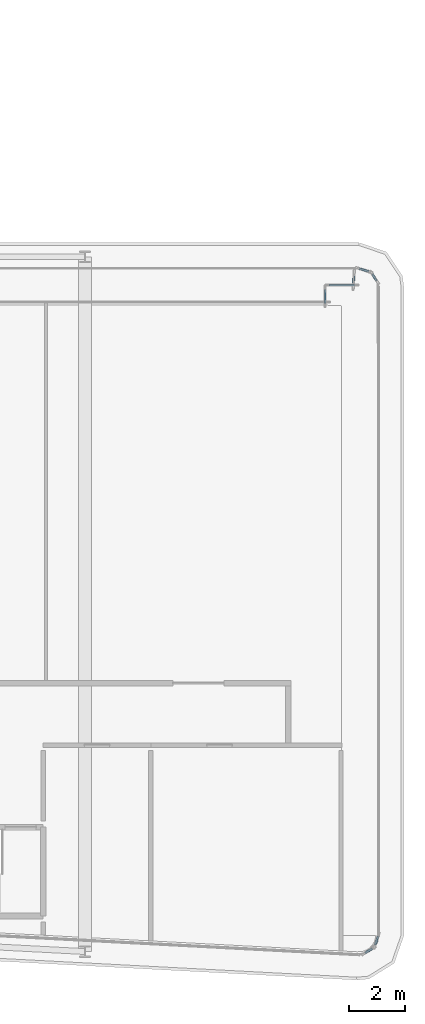
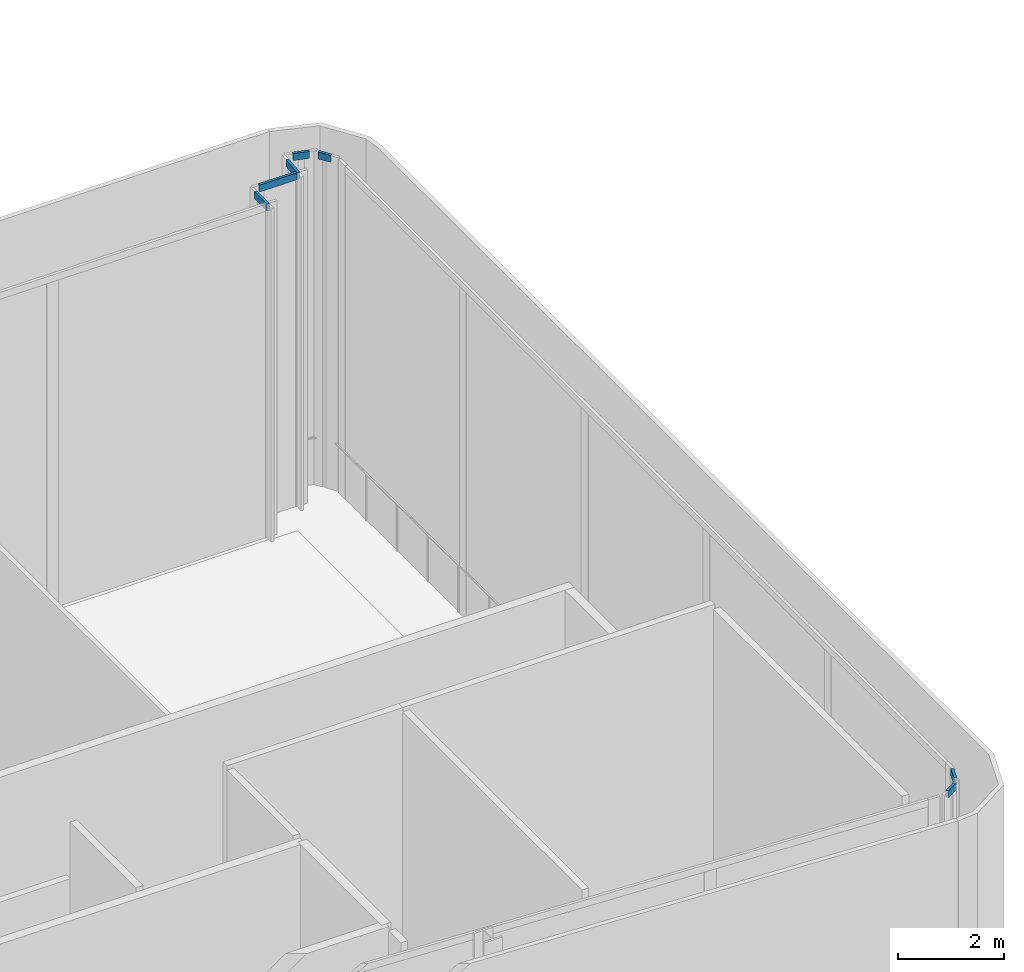
# One storey, part 20 of 38: 7 members, 7 elements without a shape of their own.
"""IFC4 building model written with IfcOpenShell, lengths in metres."""

from ifc_helpers import new_model, si_unit, direction, frame, origin, origin_2d, place, context, subcontext, project, spatial, rectangle, extrude, material, layer, layer_set, material_profile, profile_set, type_object, element, aggregate, save


model = new_model("IFC4")

# Units and contexts
model_context = context("Model", 3, precision=1e-05, world=origin(), true_north=direction((0.0, 1.0)))
body_context = subcontext(model_context, "Body", "Model", "MODEL_VIEW")
ifc_project = project(units=[si_unit("LENGTHUNIT", "METRE"), si_unit("AREAUNIT", "SQUARE_METRE"), si_unit("VOLUMEUNIT", "CUBIC_METRE"), si_unit("PLANEANGLEUNIT", "RADIAN"), si_unit("MASSUNIT", "GRAM", prefix="KILO")], contexts=[model_context])

# Site, building, storey
site_placement = place(None, origin())
site = spatial("IfcSite", under=ifc_project, at=site_placement, CompositionType="ELEMENT")
building_placement = place(site_placement, origin())
building = spatial("IfcBuilding", under=site, at=building_placement, Name="Kheshtan School and Residences Tower", CompositionType="ELEMENT")
storey_placement = place(building_placement, frame((0.0, 0.0, 203.300048828125)))
storey = spatial("IfcBuildingStorey", under=building, at=storey_placement, Name="L48", CompositionType="ELEMENT", Elevation=203.300048828125)

# Curtain wall, member
ifc_material_1 = material(Name="Clear low-e glass in thermally broken aluminium frame", Category="aluminium")
ifc_layer = layer(ifc_material_1, 0.25)
ifc_layer_set = layer_set([ifc_layer], Name="Curtain wall CW-K")
curtain_wall_type = type_object("IfcCurtainWallType", Name="Curtain wall CW-K", PredefinedType="NOTDEFINED", material=ifc_layer_set)
curtain_wall_1_placement = place(storey_placement, origin())
curtain_wall_1 = element("IfcCurtainWall", 1, at=curtain_wall_1_placement, inside=storey, type_object=curtain_wall_type, Name="Curtain wall CWK6", PredefinedType="NOTDEFINED")
ifc_material_2 = material(Name="Thermally broken aluminium, dark bronze anodised", Category="aluminium")
ifc_material_profile = material_profile(ifc_material_2, rectangle(XDim=0.06005859375, YDim=0.159912109375, at=origin_2d()), Name="CW-K transom 60x160")
ifc_profile_set = profile_set([ifc_material_profile], Name="Thermally broken aluminium, dark bronze anodised")
member_type = type_object("IfcMemberType", Name="CW-K transom 60x160", PredefinedType="USERDEFINED", material=ifc_profile_set)
member_1_placement = place(storey_placement, frame((99.300048828125, 43.9599609375, 7.570068359375), z_axis=(0.0, 1.0, 0.0), x_axis=(-1.0, 0.0, 0.0)))
member_1 = element("IfcMember", 2, at=member_1_placement, type_object=member_type, Name="CWK6 transom 1", ObjectType="TRANSOM", PredefinedType="USERDEFINED", context=body_context, shape_type="SweptSolid", body=[
    extrude(rectangle(XDim=0.06005859375, YDim=0.159912109375, at=origin_2d()), origin(), (0.0, 0.0, 1.0), 0.47998046875),
])
aggregate(curtain_wall_1, [member_1])

curtain_wall_2_placement = place(storey_placement, origin())
curtain_wall_2 = element("IfcCurtainWall", 3, at=curtain_wall_2_placement, inside=storey, type_object=curtain_wall_type, Name="Curtain wall CWK7", PredefinedType="NOTDEFINED")
member_2_placement = place(storey_placement, frame((99.4599609375, 44.60009765625, 7.570068359375), z_axis=(1.0, 0.0, 0.0), x_axis=(0.0, 1.0, 0.0)))
member_2 = element("IfcMember", 4, at=member_2_placement, type_object=member_type, Name="CWK7 transom 1", ObjectType="TRANSOM", PredefinedType="USERDEFINED", context=body_context, shape_type="SweptSolid", body=[
    extrude(rectangle(XDim=0.06005859375, YDim=0.159912109375, at=origin_2d()), origin(), (0.0, 0.0, 1.0), 0.881103515625),
])
aggregate(curtain_wall_2, [member_2])

curtain_wall_3_placement = place(storey_placement, origin())
curtain_wall_3 = element("IfcCurtainWall", 5, at=curtain_wall_3_placement, inside=storey, type_object=curtain_wall_type, Name="Curtain wall CWK8", PredefinedType="NOTDEFINED")
member_3_placement = place(storey_placement, frame((100.30517578125, 44.56640625, 7.570068359375), z_axis=(0.064936372155, 0.997889406483, 0.0), x_axis=(-0.997889406483, 0.064936372155, 0.0)))
member_3 = element("IfcMember", 6, at=member_3_placement, type_object=member_type, Name="CWK8 transom 1", ObjectType="TRANSOM", PredefinedType="USERDEFINED", context=body_context, shape_type="SweptSolid", body=[
    extrude(rectangle(XDim=0.06005859375, YDim=0.159912109375, at=origin_2d()), origin(), (0.0, 0.0, 1.0), 0.481201171875),
])
aggregate(curtain_wall_3, [member_3])

curtain_wall_4_placement = place(storey_placement, origin())
curtain_wall_4 = element("IfcCurtainWall", 7, at=curtain_wall_4_placement, inside=storey, type_object=curtain_wall_type, Name="Curtain wall CWK9", PredefinedType="NOTDEFINED")
member_4_placement = place(storey_placement, frame((100.52587890625, 45.1787109375, 7.570068359375), z_axis=(0.958859024392, -0.283882671789, 0.0), x_axis=(0.283882671789, 0.958859024392, 0.0)))
member_4 = element("IfcMember", 8, at=member_4_placement, type_object=member_type, Name="CWK9 transom 1", ObjectType="TRANSOM", PredefinedType="USERDEFINED", context=body_context, shape_type="SweptSolid", body=[
    extrude(rectangle(XDim=0.06005859375, YDim=0.159912109375, at=origin_2d()), origin(), (0.0, 0.0, 1.0), 0.3232421875),
])
aggregate(curtain_wall_4, [member_4])

curtain_wall_5_placement = place(storey_placement, origin())
curtain_wall_5 = element("IfcCurtainWall", 9, at=curtain_wall_5_placement, inside=storey, type_object=curtain_wall_type, Name="Curtain wall CWK10", PredefinedType="NOTDEFINED")
member_5_placement = place(storey_placement, frame((100.9814453125, 44.979736328125, 7.570068359375), z_axis=(0.555554602959, -0.831480055762, 0.0), x_axis=(0.831480055762, 0.555554602959, 0.0)))
member_5 = element("IfcMember", 10, at=member_5_placement, type_object=member_type, Name="CWK10 transom 1", ObjectType="TRANSOM", PredefinedType="USERDEFINED", context=body_context, shape_type="SweptSolid", body=[
    extrude(rectangle(XDim=0.06005859375, YDim=0.159912109375, at=origin_2d()), origin(), (0.0, 0.0, 1.0), 0.263671875),
])
aggregate(curtain_wall_5, [member_5])

curtain_wall_6_placement = place(storey_placement, origin())
curtain_wall_6 = element("IfcCurtainWall", 11, at=curtain_wall_6_placement, inside=storey, type_object=curtain_wall_type, Name="Curtain wall CWK12", PredefinedType="NOTDEFINED")
member_6_placement = place(storey_placement, frame((101.176513671875, 21.52392578125, 7.570068359375), z_axis=(-0.310460806599, -0.95058618103, 0.0), x_axis=(0.95058618103, -0.310460806599, 0.0)))
member_6 = element("IfcMember", 12, at=member_6_placement, type_object=member_type, Name="CWK12 transom 1", ObjectType="TRANSOM", PredefinedType="USERDEFINED", context=body_context, shape_type="SweptSolid", body=[
    extrude(rectangle(XDim=0.06005859375, YDim=0.159912109375, at=origin_2d()), origin(), (0.0, 0.0, 1.0), 0.30517578125),
])
aggregate(curtain_wall_6, [member_6])

curtain_wall_7_placement = place(storey_placement, origin())
curtain_wall_7 = element("IfcCurtainWall", 13, at=curtain_wall_7_placement, inside=storey, type_object=curtain_wall_type, Name="Curtain wall CWK13", PredefinedType="NOTDEFINED")
member_7_placement = place(storey_placement, frame((100.9697265625, 21.09130859375, 7.570068359375), z_axis=(-0.849707485057, -0.527254388164, 0.0), x_axis=(0.527254388164, -0.849707485057, 0.0)))
member_7 = element("IfcMember", 14, at=member_7_placement, type_object=member_type, Name="CWK13 transom 1", ObjectType="TRANSOM", PredefinedType="USERDEFINED", context=body_context, shape_type="SweptSolid", body=[
    extrude(rectangle(XDim=0.06005859375, YDim=0.159912109375, at=origin_2d()), origin(), (0.0, 0.0, 1.0), 0.280029296875),
])
aggregate(curtain_wall_7, [member_7])

save(model, "model.ifc")
